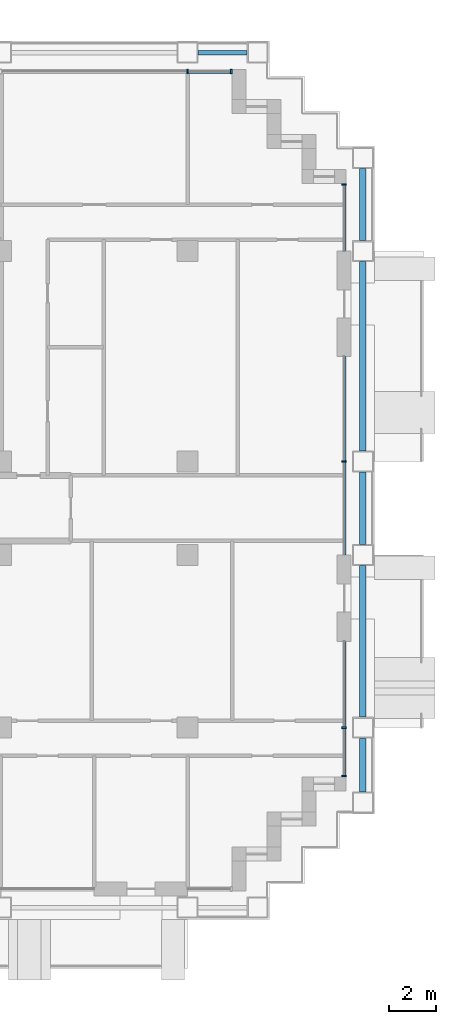
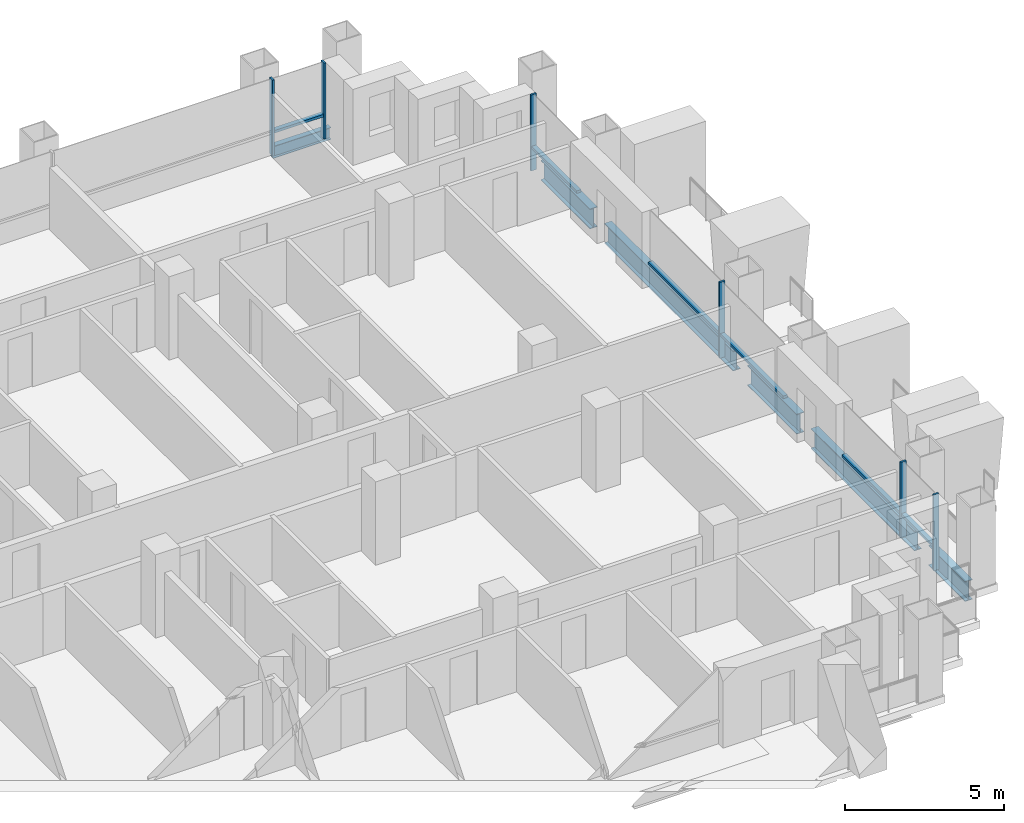
# One storey, part 6 of 18: 12 members, 6 beams, 4 elements without a shape of their own.
"""IFC4 building model written with IfcOpenShell, lengths in metres."""

from ifc_helpers import new_model, si_unit, direction, frame, origin, origin_2d, place, context, subcontext, project, spatial, rectangle, i_section, extrude, material, material_profile, profile_set, type_object, element, aggregate, save


model = new_model("IFC4")

# Units and contexts
model_context = context("Model", 3, precision=1e-05, world=origin(), true_north=direction((0.0, 1.0)))
body_context = subcontext(model_context, "Body", "Model", "MODEL_VIEW")
ifc_project = project(units=[si_unit("LENGTHUNIT", "METRE"), si_unit("AREAUNIT", "SQUARE_METRE"), si_unit("VOLUMEUNIT", "CUBIC_METRE"), si_unit("PLANEANGLEUNIT", "RADIAN"), si_unit("MASSUNIT", "GRAM", prefix="KILO")], contexts=[model_context])

# Site, building, storey
site_placement = place(None, origin())
site = spatial("IfcSite", under=ifc_project, at=site_placement, CompositionType="ELEMENT")
building_placement = place(site_placement, origin())
building = spatial("IfcBuilding", under=site, at=building_placement, Name="Vidyagriha Tower", CompositionType="ELEMENT")
storey_placement = place(building_placement, frame((0.0, 0.0, 90.300048828125)))
storey = spatial("IfcBuildingStorey", under=building, at=storey_placement, Name="L23", CompositionType="ELEMENT", Elevation=90.300048828125)

# Beams
ifc_material_1 = material(Name="Steel ASTM A992 Grade 50", Category="steel")
ifc_material_profile_1 = material_profile(ifc_material_1, i_section(OverallWidth=0.2666015625, OverallDepth=0.76953125, WebThickness=0.015625, FlangeThickness=0.025390625, at=origin_2d()), Name="W30X132")
ifc_profile_set_1 = profile_set([ifc_material_profile_1], Name="Steel ASTM A992 Grade 50")
beam_type_1 = type_object("IfcBeamType", Name="Cantilever edge beam W30X132", PredefinedType="SPANDREL", material=ifc_profile_set_1)
beam_1_placement = place(storey_placement, frame((41.5, -12.14990234375, -0.664794921875), z_axis=(0.0, 1.0, 0.0), x_axis=(-1.0, 0.0, 0.0)))
element("IfcBeam", 1, at=beam_1_placement, inside=storey, type_object=beam_type_1, Name="st-beam-L23-E15", PredefinedType="SPANDREL", context=body_context, shape_type="SweptSolid", body=[
    extrude(i_section(OverallWidth=0.2666015625, OverallDepth=0.76953125, WebThickness=0.015625, FlangeThickness=0.025390625, at=origin_2d()), origin(), (0.0, 0.0, 1.0), 2.2998046875),
])
beam_2_placement = place(storey_placement, frame((41.5, -8.949951171875, -0.664794921875), z_axis=(0.0, 1.0, 0.0), x_axis=(-1.0, 0.0, 0.0)))
element("IfcBeam", 2, at=beam_2_placement, inside=storey, type_object=beam_type_1, Name="st-beam-L23-E16", PredefinedType="SPANDREL", context=body_context, shape_type="SweptSolid", body=[
    extrude(i_section(OverallWidth=0.2666015625, OverallDepth=0.76953125, WebThickness=0.015625, FlangeThickness=0.025390625, at=origin_2d()), origin(), (0.0, 0.0, 1.0), 6.5),
])
beam_3_placement = place(storey_placement, frame((41.5, -1.550048828125, -0.664794921875), z_axis=(0.0, 1.0, 0.0), x_axis=(-1.0, 0.0, 0.0)))
element("IfcBeam", 3, at=beam_3_placement, inside=storey, type_object=beam_type_1, Name="st-beam-L23-E17", PredefinedType="SPANDREL", context=body_context, shape_type="SweptSolid", body=[
    extrude(i_section(OverallWidth=0.2666015625, OverallDepth=0.76953125, WebThickness=0.015625, FlangeThickness=0.025390625, at=origin_2d()), origin(), (0.0, 0.0, 1.0), 3.10009765625),
])
beam_4_placement = place(storey_placement, frame((41.5, 2.449951171875, -0.664794921875), z_axis=(0.0, 1.0, 0.0), x_axis=(-1.0, 0.0, 0.0)))
element("IfcBeam", 4, at=beam_4_placement, inside=storey, type_object=beam_type_1, Name="st-beam-L23-E18", PredefinedType="SPANDREL", context=body_context, shape_type="SweptSolid", body=[
    extrude(i_section(OverallWidth=0.2666015625, OverallDepth=0.76953125, WebThickness=0.015625, FlangeThickness=0.025390625, at=origin_2d()), origin(), (0.0, 0.0, 1.0), 8.10009765625),
])
beam_5_placement = place(storey_placement, frame((41.5, 11.449951171875, -0.664794921875), z_axis=(0.0, 1.0, 0.0), x_axis=(-1.0, 0.0, 0.0)))
element("IfcBeam", 5, at=beam_5_placement, inside=storey, type_object=beam_type_1, Name="st-beam-L23-E19", PredefinedType="SPANDREL", context=body_context, shape_type="SweptSolid", body=[
    extrude(i_section(OverallWidth=0.2666015625, OverallDepth=0.76953125, WebThickness=0.015625, FlangeThickness=0.025390625, at=origin_2d()), origin(), (0.0, 0.0, 1.0), 3.10009765625),
])
ifc_material_2 = material(Name="Steel ASTM A992 Grade 50", Category="steel")
ifc_material_profile_2 = material_profile(ifc_material_2, i_section(OverallWidth=0.19189453125, OverallDepth=0.46240234375, WebThickness=0.010498046875, FlangeThickness=0.017578125, at=origin_2d()), Name="W18X60")
ifc_profile_set_2 = profile_set([ifc_material_profile_2], Name="Steel ASTM A992 Grade 50")
beam_type_2 = type_object("IfcBeamType", Name="Edge beam W18X60", PredefinedType="SPANDREL", material=ifc_profile_set_2)
beam_6_placement = place(storey_placement, frame((34.449951171875, 19.5, -0.51123046875), z_axis=(1.0, 0.0, 0.0), x_axis=(0.0, 1.0, 0.0)))
element("IfcBeam", 6, at=beam_6_placement, inside=storey, type_object=beam_type_2, Name="st-beam-L23-NE23", PredefinedType="SPANDREL", context=body_context, shape_type="SweptSolid", body=[
    extrude(i_section(OverallWidth=0.19189453125, OverallDepth=0.46240234375, WebThickness=0.010498046875, FlangeThickness=0.017578125, at=origin_2d()), origin(), (0.0, 0.0, 1.0), 2.10009765625),
])

# Curtain wall, members
ifc_material_3 = material(Name="Aluminium and glass curtain wall", Category="aluminium")
curtain_wall_type = type_object("IfcCurtainWallType", Name="Dwelling skin unitised curtain wall", PredefinedType="USERDEFINED", material=ifc_material_3)
curtain_wall_1_placement = place(storey_placement, origin())
curtain_wall_1 = element("IfcCurtainWall", 7, at=curtain_wall_1_placement, inside=storey, type_object=curtain_wall_type, Name="CW1 dwelling skin", ObjectType="UNITISED", PredefinedType="USERDEFINED")
ifc_material_4 = material(Name="Aluminium black anodised", Category="aluminium")
ifc_material_profile_3 = material_profile(ifc_material_4, rectangle(XDim=0.199951171875, YDim=0.070068359375, at=origin_2d()), Name="Mullion 70x200 black aluminium")
ifc_profile_set_3 = profile_set([ifc_material_profile_3], Name="Aluminium black anodised")
member_type_1 = type_object("IfcMemberType", Name="Mullion 70x200 black aluminium", PredefinedType="MULLION", material=ifc_profile_set_3)
member_1_placement = place(storey_placement, frame((35.864990234375, 18.699951171875, 0.0), z_axis=(0.0, 0.0, 1.0), x_axis=(0.0, -1.0, 0.0)))
member_1 = element("IfcMember", 8, at=member_1_placement, type_object=member_type_1, Name="CW1 mullion 1", PredefinedType="MULLION", context=body_context, shape_type="SweptSolid", body=[
    extrude(rectangle(XDim=0.199951171875, YDim=0.070068359375, at=origin_2d()), origin(), (0.0, 0.0, 1.0), 2.919921875),
])
member_2_placement = place(storey_placement, frame((34.0, 18.699951171875, 0.0), z_axis=(0.0, 0.0, 1.0), x_axis=(0.0, -1.0, 0.0)))
member_2 = element("IfcMember", 9, at=member_2_placement, type_object=member_type_1, Name="CW1 mullion 2", PredefinedType="MULLION", context=body_context, shape_type="SweptSolid", body=[
    extrude(rectangle(XDim=0.199951171875, YDim=0.070068359375, at=origin_2d()), origin(), (0.0, 0.0, 1.0), 2.919921875),
])

curtain_wall_2_placement = place(storey_placement, origin())
curtain_wall_2 = element("IfcCurtainWall", 10, at=curtain_wall_2_placement, inside=storey, type_object=curtain_wall_type, Name="CW1 dwelling skin", ObjectType="UNITISED", PredefinedType="USERDEFINED")
member_3_placement = place(storey_placement, frame((40.699951171875, -11.465087890625, 0.0), z_axis=(0.0, 0.0, 1.0), x_axis=(-1.0, 0.0, 0.0)))
member_3 = element("IfcMember", 11, at=member_3_placement, type_object=member_type_1, Name="CW1 mullion 1", PredefinedType="MULLION", context=body_context, shape_type="SweptSolid", body=[
    extrude(rectangle(XDim=0.199951171875, YDim=0.070068359375, at=origin_2d()), origin(), (0.0, 0.0, 1.0), 2.919921875),
])
member_4_placement = place(storey_placement, frame((40.699951171875, -9.39990234375, 0.0), z_axis=(0.0, 0.0, 1.0), x_axis=(-1.0, 0.0, 0.0)))
member_4 = element("IfcMember", 12, at=member_4_placement, type_object=member_type_1, Name="CW1 mullion 2", PredefinedType="MULLION", context=body_context, shape_type="SweptSolid", body=[
    extrude(rectangle(XDim=0.199951171875, YDim=0.070068359375, at=origin_2d()), origin(), (0.0, 0.0, 1.0), 2.919921875),
])

# Curtain wall, member
curtain_wall_3_placement = place(storey_placement, origin())
curtain_wall_3 = element("IfcCurtainWall", 13, at=curtain_wall_3_placement, inside=storey, type_object=curtain_wall_type, Name="CW1 dwelling skin", ObjectType="UNITISED", PredefinedType="USERDEFINED")
member_5_placement = place(storey_placement, frame((40.699951171875, 2.0, 0.0), z_axis=(0.0, 0.0, 1.0), x_axis=(-1.0, 0.0, 0.0)))
member_5 = element("IfcMember", 14, at=member_5_placement, type_object=member_type_1, Name="CW1 mullion 2", PredefinedType="MULLION", context=body_context, shape_type="SweptSolid", body=[
    extrude(rectangle(XDim=0.199951171875, YDim=0.070068359375, at=origin_2d()), origin(), (0.0, 0.0, 1.0), 2.919921875),
])

curtain_wall_4_placement = place(storey_placement, origin())
curtain_wall_4 = element("IfcCurtainWall", 15, at=curtain_wall_4_placement, inside=storey, type_object=curtain_wall_type, Name="CW1 dwelling skin", ObjectType="UNITISED", PredefinedType="USERDEFINED")
member_6_placement = place(storey_placement, frame((40.699951171875, 13.864990234375, 0.0), z_axis=(0.0, 0.0, 1.0), x_axis=(-1.0, 0.0, 0.0)))
member_6 = element("IfcMember", 16, at=member_6_placement, type_object=member_type_1, Name="CW1 mullion 2", PredefinedType="MULLION", context=body_context, shape_type="SweptSolid", body=[
    extrude(rectangle(XDim=0.199951171875, YDim=0.070068359375, at=origin_2d()), origin(), (0.0, 0.0, 1.0), 2.919921875),
])

# Member
ifc_material_5 = material(Name="Aluminium black anodised", Category="aluminium")
ifc_material_profile_4 = material_profile(ifc_material_5, rectangle(XDim=0.159912109375, YDim=0.10009765625, at=origin_2d()), Name="Transom 100x160 black aluminium")
ifc_profile_set_4 = profile_set([ifc_material_profile_4], Name="Aluminium black anodised")
member_type_2 = type_object("IfcMemberType", Name="Transom 100x160 black aluminium", PredefinedType="USERDEFINED", material=ifc_profile_set_4)
member_7_placement = place(storey_placement, frame((35.830078125, 18.699951171875, 0.89990234375), z_axis=(-1.0, 0.0, 0.0), x_axis=(0.0, -1.0, 0.0)))
member_7 = element("IfcMember", 17, at=member_7_placement, type_object=member_type_2, Name="CW1 transom 1.1", ObjectType="TRANSOM", PredefinedType="USERDEFINED", context=body_context, shape_type="SweptSolid", body=[
    extrude(rectangle(XDim=0.159912109375, YDim=0.10009765625, at=origin_2d()), origin(), (0.0, 0.0, 1.0), 1.795166015625),
])

aggregate(curtain_wall_1, [member_1, member_2, member_7])

member_8_placement = place(storey_placement, frame((40.699951171875, -11.429931640625, 0.89990234375), z_axis=(0.0, 1.0, 0.0), x_axis=(-1.0, 0.0, 0.0)))
member_8 = element("IfcMember", 18, at=member_8_placement, type_object=member_type_2, Name="CW1 transom 1.1", ObjectType="TRANSOM", PredefinedType="USERDEFINED", context=body_context, shape_type="SweptSolid", body=[
    extrude(rectangle(XDim=0.159912109375, YDim=0.10009765625, at=origin_2d()), origin(), (0.0, 0.0, 1.0), 1.994873046875),
])

member_9_placement = place(storey_placement, frame((40.699951171875, -9.364990234375, 0.89990234375), z_axis=(0.0, 1.0, 0.0), x_axis=(-1.0, 0.0, 0.0)))
member_9 = element("IfcMember", 19, at=member_9_placement, type_object=member_type_2, Name="CW1 transom 2.1", ObjectType="TRANSOM", PredefinedType="USERDEFINED", context=body_context, shape_type="SweptSolid", body=[
    extrude(rectangle(XDim=0.159912109375, YDim=0.10009765625, at=origin_2d()), origin(), (0.0, 0.0, 1.0), 3.6650390625),
])

aggregate(curtain_wall_2, [member_3, member_4, member_8, member_9])

member_10_placement = place(storey_placement, frame((40.699951171875, -2.0, 0.89990234375), z_axis=(0.0, 1.0, 0.0), x_axis=(-1.0, 0.0, 0.0)))
member_10 = element("IfcMember", 20, at=member_10_placement, type_object=member_type_2, Name="CW1 transom 1.1", ObjectType="TRANSOM", PredefinedType="USERDEFINED", context=body_context, shape_type="SweptSolid", body=[
    extrude(rectangle(XDim=0.159912109375, YDim=0.10009765625, at=origin_2d()), origin(), (0.0, 0.0, 1.0), 3.965087890625),
])

member_11_placement = place(storey_placement, frame((40.699951171875, 2.034912109375, 0.89990234375), z_axis=(0.0, 1.0, 0.0), x_axis=(-1.0, 0.0, 0.0)))
member_11 = element("IfcMember", 21, at=member_11_placement, type_object=member_type_2, Name="CW1 transom 2.1", ObjectType="TRANSOM", PredefinedType="USERDEFINED", context=body_context, shape_type="SweptSolid", body=[
    extrude(rectangle(XDim=0.159912109375, YDim=0.10009765625, at=origin_2d()), origin(), (0.0, 0.0, 1.0), 4.465087890625),
])

aggregate(curtain_wall_3, [member_5, member_10, member_11])

member_12_placement = place(storey_placement, frame((40.699951171875, 11.0, 0.89990234375), z_axis=(0.0, 1.0, 0.0), x_axis=(-1.0, 0.0, 0.0)))
member_12 = element("IfcMember", 22, at=member_12_placement, type_object=member_type_2, Name="CW1 transom 1.1", ObjectType="TRANSOM", PredefinedType="USERDEFINED", context=body_context, shape_type="SweptSolid", body=[
    extrude(rectangle(XDim=0.159912109375, YDim=0.10009765625, at=origin_2d()), origin(), (0.0, 0.0, 1.0), 2.830078125),
])

aggregate(curtain_wall_4, [member_6, member_12])

save(model, "model.ifc")
